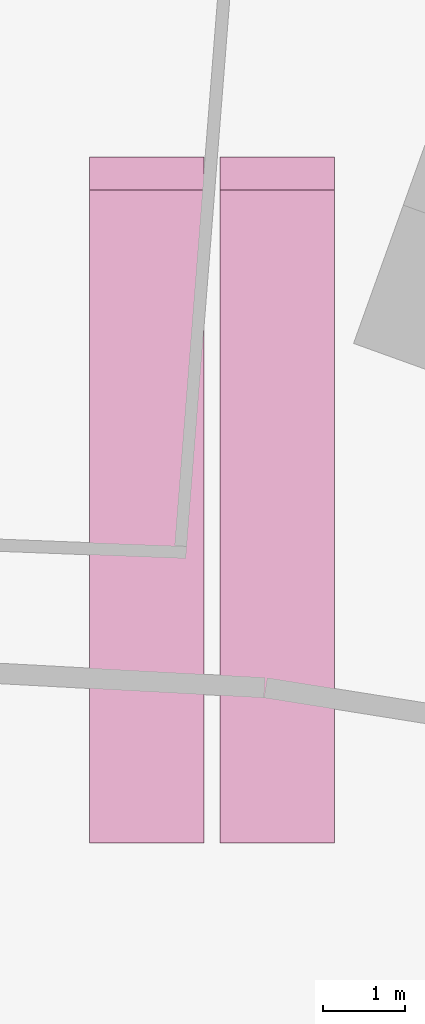
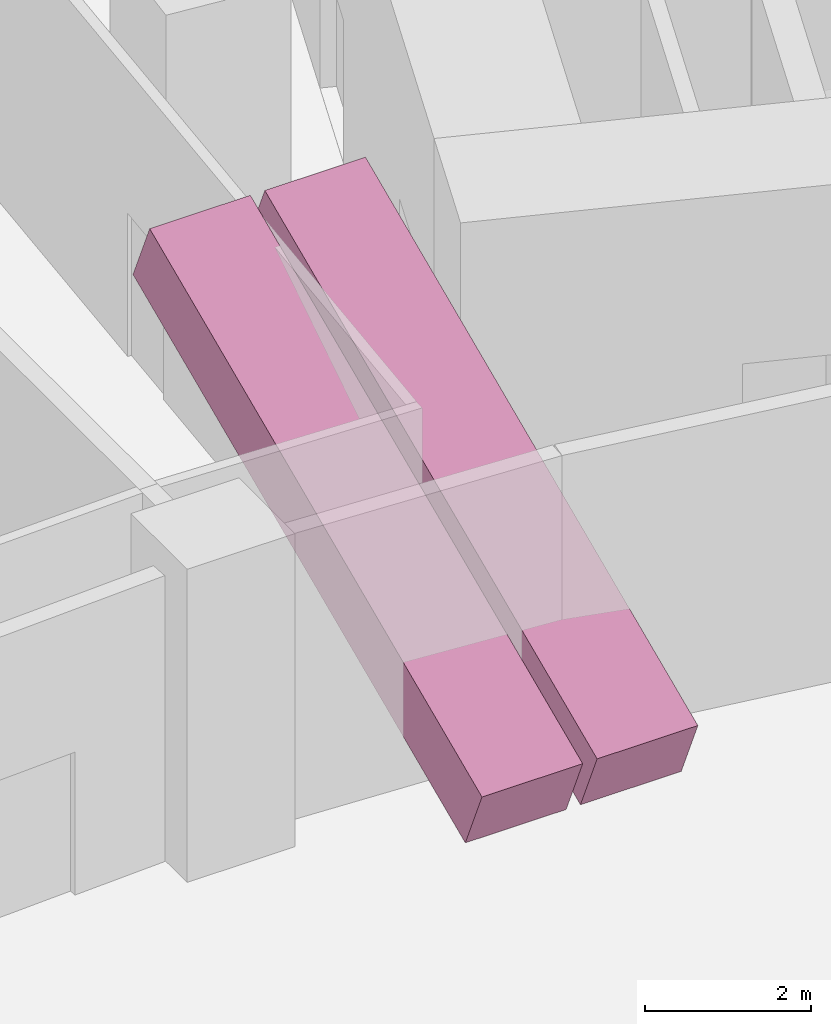
# One storey, part 40 of 40: 2 transport elements.
"""IFC4 building model written with IfcOpenShell, lengths in metres."""

from ifc_helpers import new_model, si_unit, direction, frame, origin, origin_2d, place, context, subcontext, project, spatial, rectangle, extrude, material, material_profile, profile_set, type_object, element, save


model = new_model("IFC4")

# Units and contexts
model_context = context("Model", 3, precision=1e-05, world=origin(), true_north=direction((0.0, 1.0)))
body_context = subcontext(model_context, "Body", "Model", "MODEL_VIEW")
ifc_project = project(units=[si_unit("LENGTHUNIT", "METRE"), si_unit("AREAUNIT", "SQUARE_METRE"), si_unit("VOLUMEUNIT", "CUBIC_METRE"), si_unit("PLANEANGLEUNIT", "RADIAN"), si_unit("MASSUNIT", "GRAM", prefix="KILO")], contexts=[model_context])

# Site, building, storey
site_placement = place(None, origin())
site = spatial("IfcSite", under=ifc_project, at=site_placement, CompositionType="ELEMENT")
building_placement = place(site_placement, origin())
building = spatial("IfcBuilding", under=site, at=building_placement, Name="Stone Belt Terrace Tower", CompositionType="ELEMENT")
storey_placement = place(building_placement, frame((0.0, 0.0, 7.0)))
storey = spatial("IfcBuildingStorey", under=building, at=storey_placement, Name="L01", CompositionType="ELEMENT", Elevation=7.0)

# Transport elements
ifc_material = material(Name="Stainless steel and glass escalator truss", Category="steel")
ifc_material_profile = material_profile(ifc_material, rectangle(XDim=1.39990234375, YDim=1.0, at=origin_2d()), Name="Podium escalator 1000")
ifc_profile_set = profile_set([ifc_material_profile], Name="Stainless steel and glass escalator truss")
transport_element_type = type_object("IfcTransportElementType", Name="Podium escalator 1000", PredefinedType="ESCALATOR", material=ifc_profile_set)
for number, where, z_axis, x_axis, name in (
    (1, (3.199951171875, 42.5, 0.550048828125), (0.0, 0.916157334902, 0.40081883402), (-1.0, 0.0, 0.0), "Escalator E2 up"),
    (2, (4.800048828125, 42.5, 0.550048828125), (0.0, 0.916157334902, 0.40081883402), (-1.0, 0.0, 0.0), "Escalator E2 down"),
):
    element("IfcTransportElement", number, at=place(storey_placement, frame(where, z_axis=z_axis, x_axis=x_axis)), inside=storey, type_object=transport_element_type, Name=name, PredefinedType="ESCALATOR", context=body_context, shape_type="SweptSolid", body=[
        extrude(rectangle(XDim=1.39990234375, YDim=1.0, at=origin_2d()), origin(), (0.0, 0.0, 1.0), 8.732177734375),
    ])

save(model, "model.ifc")
